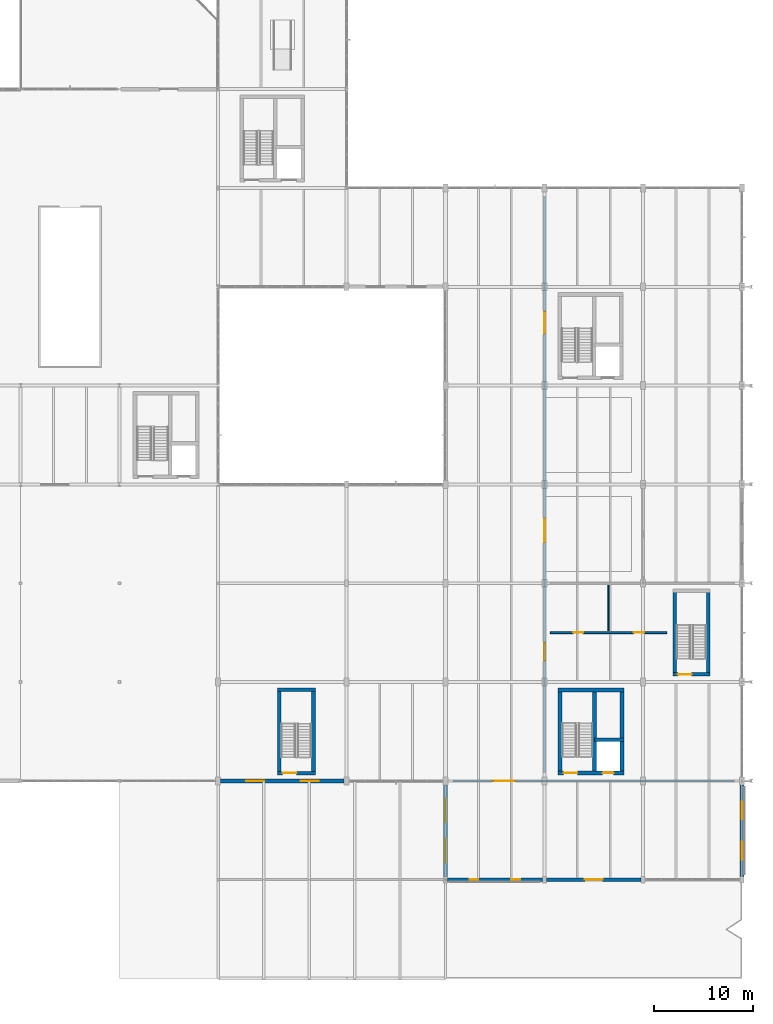
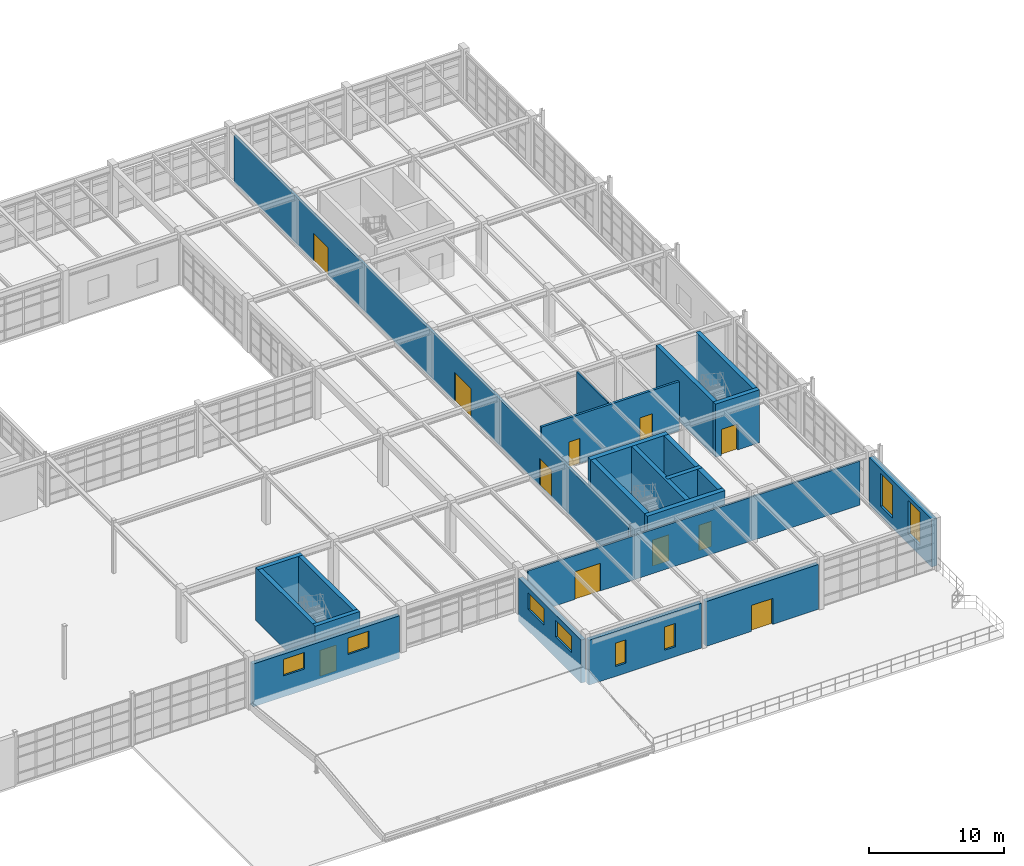
# One storey, part 121 of 139: 22 walls, 11 doors, 8 windows, 19 openings.
"""IFC4 building model written with IfcOpenShell, lengths in metres."""

from ifc_helpers import new_model, si_unit, direction, frame, frame_2d, origin, place, context, subcontext, project, spatial, rectangle, extrude, material, layer, layer_set, type_object, element, fill, save


model = new_model("IFC4")

# Units and contexts
model_context = context("Model", 3, precision=1e-05, world=origin(), true_north=direction((0.0, 1.0)))
body_context = subcontext(model_context, "Body", "Model", "MODEL_VIEW")
ifc_project = project(units=[si_unit("LENGTHUNIT", "METRE"), si_unit("AREAUNIT", "SQUARE_METRE"), si_unit("VOLUMEUNIT", "CUBIC_METRE"), si_unit("PLANEANGLEUNIT", "RADIAN"), si_unit("MASSUNIT", "GRAM", prefix="KILO"), si_unit("THERMODYNAMICTEMPERATUREUNIT", "KELVIN"), si_unit("POWERUNIT", "WATT")], contexts=[model_context])

# Site, building, storey
site_placement = place(None, origin())
site = spatial("IfcSite", under=ifc_project, at=site_placement, CompositionType="ELEMENT")
building_placement = place(site_placement, origin())
building = spatial("IfcBuilding", under=site, at=building_placement, Name="Korenveer Ferry Terminal", CompositionType="ELEMENT")
storey_placement = place(building_placement, frame((0.0, 0.0, 5.39990234375)))
storey = spatial("IfcBuildingStorey", under=building, at=storey_placement, Name="L01", CompositionType="ELEMENT", Elevation=5.39990234375)

# Wall, openings, windows
ifc_material_1 = material(Name="Insulated clinker brick masonry", Category="masonry")
ifc_layer_1 = layer(ifc_material_1, 0.3798828125)
ifc_layer_set_1 = layer_set([ifc_layer_1], Name="Insulated clinker brick masonry")
wall_type_1 = type_object("IfcWallType", Name="ENV-WL-BRK380", PredefinedType="SOLIDWALL", material=ifc_layer_set_1)
wall_1_placement = place(storey_placement, frame((146.199951171875, 10.0, 0.0), z_axis=(0.0, 0.0, 1.0), x_axis=(1.0, 0.0, 0.0)))
wall_1 = element("IfcWall", 1, at=wall_1_placement, inside=storey, type_object=wall_type_1, Name="Exterior facade wall EWL-L01-037", PredefinedType="SOLIDWALL", context=body_context, shape_type="SweptSolid", body=[
    extrude(rectangle(XDim=9.60009765625, YDim=0.3798828125, at=frame_2d((4.800048828125, 0.0))), origin(), (0.0, 0.0, 1.0), 4.050048828125),
])
opening_1_placement = place(wall_1_placement, frame((2.238037109375, 0.0, 0.89990234375)))
opening_1 = element("IfcOpeningElement", 2, at=opening_1_placement, cuts=wall_1, Name="Opening WN-03", PredefinedType="OPENING", context=body_context, shape_type="SweptSolid", body=[
    extrude(rectangle(XDim=0.89990234375, YDim=2.10009765625, at=frame_2d((0.449951171875, 1.050048828125))), frame((0.0, 0.199951171875, 0.0), z_axis=(0.0, -1.0, 0.0), x_axis=(1.0, 0.0, 0.0)), (0.0, 0.0, 1.0), 0.39990234375),
])
opening_2_placement = place(wall_1_placement, frame((6.4619140625, 0.0, 0.89990234375)))
opening_2 = element("IfcOpeningElement", 3, at=opening_2_placement, cuts=wall_1, Name="Opening WN-03", PredefinedType="OPENING", context=body_context, shape_type="SweptSolid", body=[
    extrude(rectangle(XDim=0.89990234375, YDim=2.10009765625, at=frame_2d((0.449951171875, 1.050048828125))), frame((0.0, 0.199951171875, 0.0), z_axis=(0.0, -1.0, 0.0), x_axis=(1.0, 0.0, 0.0)), (0.0, 0.0, 1.0), 0.39990234375),
])
ifc_material_2 = material(Name="Low-iron triple glazing in bronze frame", Category="glass")
window_type_1 = type_object("IfcWindowType", Name="ENV-WN-03", PartitioningType="SINGLE_PANEL", PredefinedType="WINDOW", material=ifc_material_2)
window_1_placement = place(opening_1_placement, origin())
window_1 = element("IfcWindow", 4, at=window_1_placement, inside=storey, type_object=window_type_1, Name="Lancet facade window 31", OverallHeight=2.10009765625, OverallWidth=0.89990234375, PartitioningType="SINGLE_PANEL", PredefinedType="WINDOW", context=body_context, shape_type="SweptSolid", body=[
    extrude(rectangle(XDim=0.89990234375, YDim=2.10009765625, at=frame_2d((0.449951171875, 1.050048828125))), frame((0.0, 0.030029296875, 0.0), z_axis=(0.0, -1.0, 0.0), x_axis=(1.0, 0.0, 0.0)), (0.0, 0.0, 1.0), 0.06005859375),
])
fill(opening_1, window_1)
window_2_placement = place(opening_2_placement, origin())
window_2 = element("IfcWindow", 5, at=window_2_placement, inside=storey, type_object=window_type_1, Name="Lancet facade window 32", OverallHeight=2.10009765625, OverallWidth=0.89990234375, PartitioningType="SINGLE_PANEL", PredefinedType="WINDOW", context=body_context, shape_type="SweptSolid", body=[
    extrude(rectangle(XDim=0.89990234375, YDim=2.10009765625, at=frame_2d((0.449951171875, 1.050048828125))), frame((0.0, 0.030029296875, 0.0), z_axis=(0.0, -1.0, 0.0), x_axis=(1.0, 0.0, 0.0)), (0.0, 0.0, 1.0), 0.06005859375),
])
fill(opening_2, window_2)

# Wall, opening, door
wall_2_placement = place(storey_placement, frame((156.199951171875, 10.0, 0.0), z_axis=(0.0, 0.0, 1.0), x_axis=(1.0, 0.0, 0.0)))
wall_2 = element("IfcWall", 6, at=wall_2_placement, inside=storey, type_object=wall_type_1, Name="Exterior facade wall EWL-L01-038", PredefinedType="SOLIDWALL", context=body_context, shape_type="SweptSolid", body=[
    extrude(rectangle(XDim=9.60009765625, YDim=0.3798828125, at=frame_2d((4.800048828125, 0.0))), origin(), (0.0, 0.0, 1.0), 4.050048828125),
])
opening_3_placement = place(wall_2_placement, frame((3.89990234375, 0.0, 0.0)))
opening_3 = element("IfcOpeningElement", 7, at=opening_3_placement, cuts=wall_2, Name="Opening TD-102", PredefinedType="OPENING", context=body_context, shape_type="SweptSolid", body=[
    extrude(rectangle(XDim=1.800048828125, YDim=2.35009765625, at=frame_2d((0.89990234375, 1.175048828125))), frame((0.0, 0.199951171875, 0.0), z_axis=(0.0, -1.0, 0.0), x_axis=(1.0, 0.0, 0.0)), (0.0, 0.0, 1.0), 0.39990234375),
])
ifc_material_3 = material(Name="Thermally broken bronze glazed door", Category="aluminium")
door_type_1 = type_object("IfcDoorType", Name="ENV-DR-TERR180", OperationType="DOUBLE_DOOR_SINGLE_SWING", PredefinedType="DOOR", material=ifc_material_3)
door_1_placement = place(opening_3_placement, origin())
door_1 = element("IfcDoor", 8, at=door_1_placement, inside=storey, type_object=door_type_1, Name="East Forecourt Terrace Door TD-102", OperationType="DOUBLE_DOOR_SINGLE_SWING", OverallHeight=2.35009765625, OverallWidth=1.800048828125, PredefinedType="DOOR", context=body_context, shape_type="SweptSolid", body=[
    extrude(rectangle(XDim=1.800048828125, YDim=2.35009765625, at=frame_2d((0.89990234375, 1.175048828125))), frame((0.0, 0.02490234375, 0.0), z_axis=(0.0, -1.0, 0.0), x_axis=(1.0, 0.0, 0.0)), (0.0, 0.0, 1.0), 0.050048828125),
])
fill(opening_3, door_1)

# Wall, openings, windows
wall_3_placement = place(storey_placement, frame((123.25, 20.0, 0.0), z_axis=(0.0, 0.0, 1.0), x_axis=(1.0, 0.0, 0.0)))
wall_3 = element("IfcWall", 9, at=wall_3_placement, inside=storey, type_object=wall_type_1, Name="Exterior facade wall EWL-L01-042", PredefinedType="SOLIDWALL", context=body_context, shape_type="SweptSolid", body=[
    extrude(rectangle(XDim=12.5, YDim=0.3798828125, at=frame_2d((6.25, 0.0))), origin(), (0.0, 0.0, 1.0), 3.8701171875),
])
opening_4_placement = place(wall_3_placement, frame((2.60009765625, 0.0, 1.89990234375)))
opening_4 = element("IfcOpeningElement", 10, at=opening_4_placement, cuts=wall_3, Name="Opening WN-17", PredefinedType="OPENING", context=body_context, shape_type="SweptSolid", body=[
    extrude(rectangle(XDim=1.800048828125, YDim=1.5, at=frame_2d((0.89990234375, 0.75))), frame((0.0, 0.199951171875, 0.0), z_axis=(0.0, -1.0, 0.0), x_axis=(1.0, 0.0, 0.0)), (0.0, 0.0, 1.0), 0.39990234375),
])
opening_5_placement = place(wall_3_placement, frame((8.10009765625, 0.0, 1.89990234375)))
opening_5 = element("IfcOpeningElement", 11, at=opening_5_placement, cuts=wall_3, Name="Opening WN-17", PredefinedType="OPENING", context=body_context, shape_type="SweptSolid", body=[
    extrude(rectangle(XDim=1.800048828125, YDim=1.5, at=frame_2d((0.89990234375, 0.75))), frame((0.0, 0.199951171875, 0.0), z_axis=(0.0, -1.0, 0.0), x_axis=(1.0, 0.0, 0.0)), (0.0, 0.0, 1.0), 0.39990234375),
])
window_type_2 = type_object("IfcWindowType", Name="ENV-WN-17", PartitioningType="SINGLE_PANEL", PredefinedType="WINDOW", material=ifc_material_2)
window_3_placement = place(opening_4_placement, origin())
window_3 = element("IfcWindow", 12, at=window_3_placement, inside=storey, type_object=window_type_2, Name="Lancet facade window 39", OverallHeight=1.5, OverallWidth=1.800048828125, PartitioningType="SINGLE_PANEL", PredefinedType="WINDOW", context=body_context, shape_type="SweptSolid", body=[
    extrude(rectangle(XDim=1.800048828125, YDim=1.5, at=frame_2d((0.89990234375, 0.75))), frame((0.0, 0.030029296875, 0.0), z_axis=(0.0, -1.0, 0.0), x_axis=(1.0, 0.0, 0.0)), (0.0, 0.0, 1.0), 0.06005859375),
])
fill(opening_4, window_3)
window_4_placement = place(opening_5_placement, origin())
window_4 = element("IfcWindow", 13, at=window_4_placement, inside=storey, type_object=window_type_2, Name="Lancet facade window 40", OverallHeight=1.5, OverallWidth=1.800048828125, PartitioningType="SINGLE_PANEL", PredefinedType="WINDOW", context=body_context, shape_type="SweptSolid", body=[
    extrude(rectangle(XDim=1.800048828125, YDim=1.5, at=frame_2d((0.89990234375, 0.75))), frame((0.0, 0.030029296875, 0.0), z_axis=(0.0, -1.0, 0.0), x_axis=(1.0, 0.0, 0.0)), (0.0, 0.0, 1.0), 0.06005859375),
])
fill(opening_5, window_4)

wall_4_placement = place(storey_placement, frame((146.0, 10.324951171875, 0.0), z_axis=(0.0, 0.0, 1.0), x_axis=(0.0, 1.0, 0.0)))
wall_4 = element("IfcWall", 14, at=wall_4_placement, inside=storey, type_object=wall_type_1, Name="Exterior facade wall EWL-L01-051", PredefinedType="SOLIDWALL", context=body_context, shape_type="SweptSolid", body=[
    extrude(rectangle(XDim=9.275146484375, YDim=0.3798828125, at=frame_2d((4.6376953125, 0.0))), origin(), (0.0, 0.0, 1.0), 3.900146484375),
])
opening_6_placement = place(wall_4_placement, frame((1.39697265625, 0.0, 1.89990234375)))
opening_6 = element("IfcOpeningElement", 15, at=opening_6_placement, cuts=wall_4, Name="Opening WN-29", PredefinedType="OPENING", context=body_context, shape_type="SweptSolid", body=[
    extrude(rectangle(XDim=2.39990234375, YDim=1.5, at=frame_2d((1.199951171875, 0.75))), frame((0.0, 0.199951171875, 0.0), z_axis=(0.0, -1.0, 0.0), x_axis=(1.0, 0.0, 0.0)), (0.0, 0.0, 1.0), 0.39990234375),
])
opening_7_placement = place(wall_4_placement, frame((5.47802734375, 0.0, 1.89990234375)))
opening_7 = element("IfcOpeningElement", 16, at=opening_7_placement, cuts=wall_4, Name="Opening WN-29", PredefinedType="OPENING", context=body_context, shape_type="SweptSolid", body=[
    extrude(rectangle(XDim=2.39990234375, YDim=1.5, at=frame_2d((1.199951171875, 0.75))), frame((0.0, 0.199951171875, 0.0), z_axis=(0.0, -1.0, 0.0), x_axis=(1.0, 0.0, 0.0)), (0.0, 0.0, 1.0), 0.39990234375),
])
window_type_3 = type_object("IfcWindowType", Name="ENV-WN-29", PartitioningType="SINGLE_PANEL", PredefinedType="WINDOW", material=ifc_material_2)
window_5_placement = place(opening_6_placement, origin())
window_5 = element("IfcWindow", 17, at=window_5_placement, inside=storey, type_object=window_type_3, Name="Lancet facade window 53", OverallHeight=1.5, OverallWidth=2.39990234375, PartitioningType="SINGLE_PANEL", PredefinedType="WINDOW", context=body_context, shape_type="SweptSolid", body=[
    extrude(rectangle(XDim=2.39990234375, YDim=1.5, at=frame_2d((1.199951171875, 0.75))), frame((0.0, 0.030029296875, 0.0), z_axis=(0.0, -1.0, 0.0), x_axis=(1.0, 0.0, 0.0)), (0.0, 0.0, 1.0), 0.06005859375),
])
fill(opening_6, window_5)
window_6_placement = place(opening_7_placement, origin())
window_6 = element("IfcWindow", 18, at=window_6_placement, inside=storey, type_object=window_type_3, Name="Lancet facade window 54", OverallHeight=1.5, OverallWidth=2.39990234375, PartitioningType="SINGLE_PANEL", PredefinedType="WINDOW", context=body_context, shape_type="SweptSolid", body=[
    extrude(rectangle(XDim=2.39990234375, YDim=1.5, at=frame_2d((1.199951171875, 0.75))), frame((0.0, 0.030029296875, 0.0), z_axis=(0.0, -1.0, 0.0), x_axis=(1.0, 0.0, 0.0)), (0.0, 0.0, 1.0), 0.06005859375),
])
fill(opening_7, window_6)

ifc_layer_2 = layer(ifc_material_1, 0.43994140625)
ifc_layer_set_2 = layer_set([ifc_layer_2], Name="Insulated clinker brick masonry")
wall_type_2 = type_object("IfcWallType", Name="ENV-WL-BRK440", PredefinedType="SOLIDWALL", material=ifc_layer_set_2)
wall_5_placement = place(storey_placement, frame((176.0, 19.60009765625, 0.0), z_axis=(0.0, 0.0, 1.0), x_axis=(0.0, -1.0, 0.0)))
wall_5 = element("IfcWall", 19, at=wall_5_placement, inside=storey, type_object=wall_type_2, Name="Exterior facade wall EWL-L01-052", PredefinedType="SOLIDWALL", context=body_context, shape_type="SweptSolid", body=[
    extrude(rectangle(XDim=9.275146484375, YDim=0.43994140625, at=frame_2d((4.6376953125, 0.0))), origin(), (0.0, 0.0, 1.0), 4.300048828125),
])
opening_8_placement = place(wall_5_placement, frame((1.697021484375, 0.0, 0.89990234375)))
opening_8 = element("IfcOpeningElement", 20, at=opening_8_placement, cuts=wall_5, Name="Opening WN-22", PredefinedType="OPENING", context=body_context, shape_type="SweptSolid", body=[
    extrude(rectangle(XDim=1.800048828125, YDim=3.0, at=frame_2d((0.89990234375, 1.5))), frame((0.0, 0.22998046875, 0.0), z_axis=(0.0, -1.0, 0.0), x_axis=(1.0, 0.0, 0.0)), (0.0, 0.0, 1.0), 0.4599609375),
])
opening_9_placement = place(wall_5_placement, frame((5.778076171875, 0.0, 0.89990234375)))
opening_9 = element("IfcOpeningElement", 21, at=opening_9_placement, cuts=wall_5, Name="Opening WN-22", PredefinedType="OPENING", context=body_context, shape_type="SweptSolid", body=[
    extrude(rectangle(XDim=1.800048828125, YDim=3.0, at=frame_2d((0.89990234375, 1.5))), frame((0.0, 0.22998046875, 0.0), z_axis=(0.0, -1.0, 0.0), x_axis=(1.0, 0.0, 0.0)), (0.0, 0.0, 1.0), 0.4599609375),
])
window_type_4 = type_object("IfcWindowType", Name="ENV-WN-22", PartitioningType="SINGLE_PANEL", PredefinedType="WINDOW", material=ifc_material_2)
window_7_placement = place(opening_8_placement, origin())
window_7 = element("IfcWindow", 22, at=window_7_placement, inside=storey, type_object=window_type_4, Name="Lancet facade window 55", OverallHeight=3.0, OverallWidth=1.800048828125, PartitioningType="SINGLE_PANEL", PredefinedType="WINDOW", context=body_context, shape_type="SweptSolid", body=[
    extrude(rectangle(XDim=1.800048828125, YDim=3.0, at=frame_2d((0.89990234375, 1.5))), frame((0.0, 0.030029296875, 0.0), z_axis=(0.0, -1.0, 0.0), x_axis=(1.0, 0.0, 0.0)), (0.0, 0.0, 1.0), 0.06005859375),
])
fill(opening_8, window_7)
window_8_placement = place(opening_9_placement, origin())
window_8 = element("IfcWindow", 23, at=window_8_placement, inside=storey, type_object=window_type_4, Name="Lancet facade window 56", OverallHeight=3.0, OverallWidth=1.800048828125, PartitioningType="SINGLE_PANEL", PredefinedType="WINDOW", context=body_context, shape_type="SweptSolid", body=[
    extrude(rectangle(XDim=1.800048828125, YDim=3.0, at=frame_2d((0.89990234375, 1.5))), frame((0.0, 0.030029296875, 0.0), z_axis=(0.0, -1.0, 0.0), x_axis=(1.0, 0.0, 0.0)), (0.0, 0.0, 1.0), 0.06005859375),
])
fill(opening_9, window_8)

# Wall, openings, doors
ifc_material_4 = material(Name="Acoustic fire-rated twin-stud partition", Category="other")
ifc_layer_3 = layer(ifc_material_4, 0.199951171875)
ifc_layer_set_3 = layer_set([ifc_layer_3], Name="Acoustic fire-rated twin-stud partition")
wall_type_3 = type_object("IfcWallType", Name="INT-WL-COMP200", PredefinedType="PARTITIONING", material=ifc_layer_set_3)
wall_6_placement = place(storey_placement, frame((156.0, 20.800048828125, 0.0), z_axis=(0.0, 0.0, 1.0), x_axis=(0.0, 1.0, 0.0)))
wall_6 = element("IfcWall", 24, at=wall_6_placement, inside=storey, type_object=wall_type_3, Name="Interior partition PWL-L01-030", PredefinedType="PARTITIONING", context=body_context, shape_type="SweptSolid", body=[
    extrude(rectangle(XDim=58.39990234375, YDim=0.199951171875, at=frame_2d((29.199951171875, 0.0))), origin(), (0.0, 0.0, 1.0), 4.22998046875),
])
opening_10_placement = place(wall_6_placement, frame((11.364013671875, 0.0, 0.0)))
opening_10 = element("IfcOpeningElement", 25, at=opening_10_placement, cuts=wall_6, Name="Opening ID-038", PredefinedType="OPENING", context=body_context, shape_type="SweptSolid", body=[
    extrude(rectangle(XDim=1.800048828125, YDim=2.449951171875, at=frame_2d((0.89990234375, 1.22509765625))), frame((0.0, 0.10986328125, 0.0), z_axis=(0.0, -1.0, 0.0), x_axis=(1.0, 0.0, 0.0)), (0.0, 0.0, 1.0), 0.219970703125),
])
opening_11_placement = place(wall_6_placement, frame((23.327880859375, 0.0, 0.0)))
opening_11 = element("IfcOpeningElement", 26, at=opening_11_placement, cuts=wall_6, Name="Opening ID-039", PredefinedType="OPENING", context=body_context, shape_type="SweptSolid", body=[
    extrude(rectangle(XDim=2.39990234375, YDim=2.60009765625, at=frame_2d((1.199951171875, 1.300048828125))), frame((0.0, 0.10986328125, 0.0), z_axis=(0.0, -1.0, 0.0), x_axis=(1.0, 0.0, 0.0)), (0.0, 0.0, 1.0), 0.219970703125),
])
opening_12_placement = place(wall_6_placement, frame((44.451904296875, 0.0, 0.0)))
opening_12 = element("IfcOpeningElement", 27, at=opening_12_placement, cuts=wall_6, Name="Opening ID-040", PredefinedType="OPENING", context=body_context, shape_type="SweptSolid", body=[
    extrude(rectangle(XDim=2.199951171875, YDim=2.5, at=frame_2d((1.10009765625, 1.25))), frame((0.0, 0.10986328125, 0.0), z_axis=(0.0, -1.0, 0.0), x_axis=(1.0, 0.0, 0.0)), (0.0, 0.0, 1.0), 0.219970703125),
])
ifc_material_5 = material(Name="Solid hardwood and steel acoustic door", Category="steel")
door_type_2 = type_object("IfcDoorType", Name="INT-DR-CON220", OperationType="DOUBLE_DOOR_SINGLE_SWING", PredefinedType="DOOR", material=ifc_material_5)
door_2_placement = place(opening_12_placement, origin())
door_2 = element("IfcDoor", 28, at=door_2_placement, inside=storey, type_object=door_type_2, Name="Schengen Departure Lounge Entrance", OperationType="DOUBLE_DOOR_SINGLE_SWING", OverallHeight=2.5, OverallWidth=2.199951171875, PredefinedType="DOOR", context=body_context, shape_type="SweptSolid", body=[
    extrude(rectangle(XDim=2.199951171875, YDim=2.5, at=frame_2d((1.10009765625, 1.25))), frame((0.0, 0.02490234375, 0.0), z_axis=(0.0, -1.0, 0.0), x_axis=(1.0, 0.0, 0.0)), (0.0, 0.0, 1.0), 0.050048828125),
])
fill(opening_12, door_2)
door_type_3 = type_object("IfcDoorType", Name="INT-DR-CON240", OperationType="DOUBLE_DOOR_SINGLE_SWING", PredefinedType="DOOR", material=ifc_material_5)
door_3_placement = place(opening_11_placement, origin())
door_3 = element("IfcDoor", 29, at=door_3_placement, inside=storey, type_object=door_type_3, Name="Duty Free Retail Arcade Entrance", OperationType="DOUBLE_DOOR_SINGLE_SWING", OverallHeight=2.60009765625, OverallWidth=2.39990234375, PredefinedType="DOOR", context=body_context, shape_type="SweptSolid", body=[
    extrude(rectangle(XDim=2.39990234375, YDim=2.60009765625, at=frame_2d((1.199951171875, 1.300048828125))), frame((0.0, 0.02490234375, 0.0), z_axis=(0.0, -1.0, 0.0), x_axis=(1.0, 0.0, 0.0)), (0.0, 0.0, 1.0), 0.050048828125),
])
fill(opening_11, door_3)
door_type_4 = type_object("IfcDoorType", Name="INT-DR-FFL180", OperationType="DOUBLE_DOOR_SINGLE_SWING", PredefinedType="DOOR", material=ifc_material_5)
door_4_placement = place(opening_10_placement, origin())
door_4 = element("IfcDoor", 30, at=door_4_placement, inside=storey, type_object=door_type_4, Name="L01 East Firefighting Lobby Door", OperationType="DOUBLE_DOOR_SINGLE_SWING", OverallHeight=2.449951171875, OverallWidth=1.800048828125, PredefinedType="DOOR", context=body_context, shape_type="SweptSolid", body=[
    extrude(rectangle(XDim=1.800048828125, YDim=2.449951171875, at=frame_2d((0.89990234375, 1.22509765625))), frame((0.0, 0.02490234375, 0.0), z_axis=(0.0, -1.0, 0.0), x_axis=(1.0, 0.0, 0.0)), (0.0, 0.0, 1.0), 0.050048828125),
])
fill(opening_10, door_4)

wall_7_placement = place(storey_placement, frame((156.60009765625, 35.0, 0.0), z_axis=(0.0, 0.0, 1.0), x_axis=(1.0, 0.0, 0.0)))
wall_7 = element("IfcWall", 31, at=wall_7_placement, inside=storey, type_object=wall_type_3, Name="Interior partition PWL-L01-032", PredefinedType="PARTITIONING", context=body_context, shape_type="SweptSolid", body=[
    extrude(rectangle(XDim=11.7998046875, YDim=0.199951171875, at=frame_2d((5.89990234375, 0.0))), origin(), (0.0, 0.0, 1.0), 4.460205078125),
])
opening_13_placement = place(wall_7_placement, frame((2.342041015625, 0.0, 0.0)))
opening_13 = element("IfcOpeningElement", 32, at=opening_13_placement, cuts=wall_7, Name="Opening ID-042", PredefinedType="OPENING", context=body_context, shape_type="SweptSolid", body=[
    extrude(rectangle(XDim=0.97998046875, YDim=2.300048828125, at=frame_2d((0.489990234375, 1.14990234375))), frame((0.0, 0.10986328125, 0.0), z_axis=(0.0, -1.0, 0.0), x_axis=(1.0, 0.0, 0.0)), (0.0, 0.0, 1.0), 0.219970703125),
])
opening_14_placement = place(wall_7_placement, frame((8.427978515625, 0.0, 0.0)))
opening_14 = element("IfcOpeningElement", 33, at=opening_14_placement, cuts=wall_7, Name="Opening ID-043", PredefinedType="OPENING", context=body_context, shape_type="SweptSolid", body=[
    extrude(rectangle(XDim=1.080078125, YDim=2.35009765625, at=frame_2d((0.5400390625, 1.175048828125))), frame((0.0, 0.10986328125, 0.0), z_axis=(0.0, -1.0, 0.0), x_axis=(1.0, 0.0, 0.0)), (0.0, 0.0, 1.0), 0.219970703125),
])
door_type_5 = type_object("IfcDoorType", Name="INT-DR-AWC108", OperationType="NOTDEFINED", PredefinedType="DOOR", material=ifc_material_5)
door_5_placement = place(opening_14_placement, origin())
door_5 = element("IfcDoor", 34, at=door_5_placement, inside=storey, type_object=door_type_5, Name="L01 East Accessible WC Door", OperationType="SINGLE_SWING_LEFT", OverallHeight=2.35009765625, OverallWidth=1.080078125, PredefinedType="DOOR", context=body_context, shape_type="SweptSolid", body=[
    extrude(rectangle(XDim=1.080078125, YDim=2.35009765625, at=frame_2d((0.5400390625, 1.175048828125))), frame((0.0, 0.02490234375, 0.0), z_axis=(0.0, -1.0, 0.0), x_axis=(1.0, 0.0, 0.0)), (0.0, 0.0, 1.0), 0.050048828125),
])
fill(opening_14, door_5)
door_type_6 = type_object("IfcDoorType", Name="INT-DR-WC098", OperationType="NOTDEFINED", PredefinedType="DOOR", material=ifc_material_5)
door_6_placement = place(opening_13_placement, origin())
door_6 = element("IfcDoor", 35, at=door_6_placement, inside=storey, type_object=door_type_6, Name="L01 East Public WC Door", OperationType="SINGLE_SWING_RIGHT", OverallHeight=2.300048828125, OverallWidth=0.97998046875, PredefinedType="DOOR", context=body_context, shape_type="SweptSolid", body=[
    extrude(rectangle(XDim=0.97998046875, YDim=2.300048828125, at=frame_2d((0.489990234375, 1.14990234375))), frame((0.0, 0.02490234375, 0.0), z_axis=(0.0, -1.0, 0.0), x_axis=(1.0, 0.0, 0.0)), (0.0, 0.0, 1.0), 0.050048828125),
])
fill(opening_13, door_6)

# Walls
ifc_material_6 = material(Name="Concrete C45/55", Category="concrete")
ifc_layer_4 = layer(ifc_material_6, 0.360107421875)
ifc_layer_set_4 = layer_set([ifc_layer_4], Name="Concrete C45/55")
wall_type_4 = type_object("IfcWallType", Name="INT-WL-CORE360", PredefinedType="SHEAR", material=ifc_layer_set_4)
wall_8_placement = place(storey_placement, frame((161.080078125, 20.60009765625, 0.0), z_axis=(0.0, 0.0, 1.0), x_axis=(0.0, 1.0, 0.0)))
element("IfcWall", 36, at=wall_8_placement, inside=storey, type_object=wall_type_4, Name="East Firefighting Core K3 shaft divider wall L01", PredefinedType="SHEAR", context=body_context, shape_type="SweptSolid", body=[
    extrude(rectangle(XDim=8.7998046875, YDim=0.360107421875, at=frame_2d((4.39990234375, 0.0))), origin(), (0.0, 0.0, 1.0), 4.800048828125),
])
wall_9_placement = place(storey_placement, frame((161.080078125, 24.179931640625, 0.0), z_axis=(0.0, 0.0, 1.0), x_axis=(1.0, 0.0, 0.0)))
element("IfcWall", 37, at=wall_9_placement, inside=storey, type_object=wall_type_4, Name="East Firefighting Core K3 lift shaft wall L01", PredefinedType="SHEAR", context=body_context, shape_type="SweptSolid", body=[
    extrude(rectangle(XDim=2.97998046875, YDim=0.360107421875, at=frame_2d((1.489990234375, 0.0))), origin(), (0.0, 0.0, 1.0), 4.800048828125),
])

# Wall, opening, door
wall_10_placement = place(storey_placement, frame((129.0, 20.780029296875, 0.0), z_axis=(0.0, 0.0, 1.0), x_axis=(1.0, 0.0, 0.0)))
wall_10 = element("IfcWall", 38, at=wall_10_placement, inside=storey, type_object=wall_type_4, Name="Arrivals East Stair Core K10 south shear wall L01", PredefinedType="SHEAR", context=body_context, shape_type="SweptSolid", body=[
    extrude(rectangle(XDim=3.820068359375, YDim=0.360107421875, at=frame_2d((1.91015625, 0.0))), origin(), (0.0, 0.0, 1.0), 4.800048828125),
])
opening_15_placement = place(wall_10_placement, frame((0.510009765625, 0.0, 0.0)))
opening_15 = element("IfcOpeningElement", 39, at=opening_15_placement, cuts=wall_10, Name="Opening SD-33", PredefinedType="OPENING", context=body_context, shape_type="SweptSolid", body=[
    extrude(rectangle(XDim=1.39990234375, YDim=2.35009765625, at=frame_2d((0.699951171875, 1.175048828125))), frame((0.0, 0.18994140625, 0.0), z_axis=(0.0, -1.0, 0.0), x_axis=(1.0, 0.0, 0.0)), (0.0, 0.0, 1.0), 0.380126953125),
])
door_type_7 = type_object("IfcDoorType", Name="INT-DR-ST140", OperationType="NOTDEFINED", PredefinedType="DOOR", material=ifc_material_5)
door_7_placement = place(opening_15_placement, origin())
door_7 = element("IfcDoor", 40, at=door_7_placement, inside=storey, type_object=door_type_7, Name="ST10 Stair Door L01", OperationType="SINGLE_SWING_LEFT", OverallHeight=2.35009765625, OverallWidth=1.39990234375, PredefinedType="DOOR", context=body_context, shape_type="SweptSolid", body=[
    extrude(rectangle(XDim=1.39990234375, YDim=2.35009765625, at=frame_2d((0.699951171875, 1.175048828125))), frame((0.0, 0.02490234375, 0.0), z_axis=(0.0, -1.0, 0.0), x_axis=(1.0, 0.0, 0.0)), (0.0, 0.0, 1.0), 0.050048828125),
])
fill(opening_15, door_7)

# Walls
wall_11_placement = place(storey_placement, frame((129.0, 29.219970703125, 0.0), z_axis=(0.0, 0.0, 1.0), x_axis=(1.0, 0.0, 0.0)))
element("IfcWall", 41, at=wall_11_placement, inside=storey, type_object=wall_type_4, Name="Arrivals East Stair Core K10 north shear wall L01", PredefinedType="SHEAR", context=body_context, shape_type="SweptSolid", body=[
    extrude(rectangle(XDim=3.820068359375, YDim=0.360107421875, at=frame_2d((1.91015625, 0.0))), origin(), (0.0, 0.0, 1.0), 4.800048828125),
])
for number, where, z_axis, x_axis, name in (
    (42, (129.179931640625, 20.60009765625, 0.0), (0.0, 0.0, 1.0), (0.0, 1.0, 0.0), "Arrivals East Stair Core K10 west shear wall L01"),
    (43, (132.639892578125, 20.60009765625, 0.0), (0.0, 0.0, 1.0), (0.0, 1.0, 0.0), "Arrivals East Stair Core K10 east shear wall L01"),
):
    element("IfcWall", number, at=place(storey_placement, frame(where, z_axis=z_axis, x_axis=x_axis)), inside=storey, type_object=wall_type_4, Name=name, PredefinedType="SHEAR", context=body_context, shape_type="SweptSolid", body=[
        extrude(rectangle(XDim=8.7998046875, YDim=0.360107421875, at=frame_2d((4.39990234375, 0.0))), origin(), (0.0, 0.0, 1.0), 4.800048828125),
    ])

# Wall, opening, door
wall_12_placement = place(storey_placement, frame((169.0, 30.780029296875, 0.0), z_axis=(0.0, 0.0, 1.0), x_axis=(1.0, 0.0, 0.0)))
wall_12 = element("IfcWall", 44, at=wall_12_placement, inside=storey, type_object=wall_type_4, Name="Schengen South Stair Core K12 south shear wall L01", PredefinedType="SHEAR", context=body_context, shape_type="SweptSolid", body=[
    extrude(rectangle(XDim=3.760009765625, YDim=0.360107421875, at=frame_2d((1.8798828125, 0.0))), origin(), (0.0, 0.0, 1.0), 4.800048828125),
])
opening_16_placement = place(wall_12_placement, frame((0.510009765625, 0.0, 0.0)))
opening_16 = element("IfcOpeningElement", 45, at=opening_16_placement, cuts=wall_12, Name="Opening SD-40", PredefinedType="OPENING", context=body_context, shape_type="SweptSolid", body=[
    extrude(rectangle(XDim=1.39990234375, YDim=2.35009765625, at=frame_2d((0.699951171875, 1.175048828125))), frame((0.0, 0.18994140625, 0.0), z_axis=(0.0, -1.0, 0.0), x_axis=(1.0, 0.0, 0.0)), (0.0, 0.0, 1.0), 0.380126953125),
])
door_8_placement = place(opening_16_placement, origin())
door_8 = element("IfcDoor", 46, at=door_8_placement, inside=storey, type_object=door_type_7, Name="ST12 Stair Door L01", OperationType="SINGLE_SWING_RIGHT", OverallHeight=2.35009765625, OverallWidth=1.39990234375, PredefinedType="DOOR", context=body_context, shape_type="SweptSolid", body=[
    extrude(rectangle(XDim=1.39990234375, YDim=2.35009765625, at=frame_2d((0.699951171875, 1.175048828125))), frame((0.0, 0.02490234375, 0.0), z_axis=(0.0, -1.0, 0.0), x_axis=(1.0, 0.0, 0.0)), (0.0, 0.0, 1.0), 0.050048828125),
])
fill(opening_16, door_8)

# Walls
for number, where, z_axis, x_axis, name in (
    (47, (169.179931640625, 30.60009765625, 0.0), (0.0, 0.0, 1.0), (0.0, 1.0, 0.0), "Schengen South Stair Core K12 west shear wall L01"),
    (48, (172.580078125, 30.60009765625, 0.0), (0.0, 0.0, 1.0), (0.0, 1.0, 0.0), "Schengen South Stair Core K12 east shear wall L01"),
):
    element("IfcWall", number, at=place(storey_placement, frame(where, z_axis=z_axis, x_axis=x_axis)), inside=storey, type_object=wall_type_4, Name=name, PredefinedType="SHEAR", context=body_context, shape_type="SweptSolid", body=[
        extrude(rectangle(XDim=8.7998046875, YDim=0.360107421875, at=frame_2d((4.39990234375, 0.0))), origin(), (0.0, 0.0, 1.0), 4.800048828125),
    ])

# Wall, openings, doors
ifc_layer_5 = layer(ifc_material_6, 0.39990234375)
ifc_layer_set_5 = layer_set([ifc_layer_5], Name="Concrete C45/55")
wall_type_5 = type_object("IfcWallType", Name="INT-WL-CORE400", PredefinedType="SHEAR", material=ifc_layer_set_5)
wall_13_placement = place(storey_placement, frame((157.39990234375, 20.800048828125, 0.0), z_axis=(0.0, 0.0, 1.0), x_axis=(1.0, 0.0, 0.0)))
wall_13 = element("IfcWall", 49, at=wall_13_placement, inside=storey, type_object=wall_type_5, Name="East Firefighting Core K3 south shear wall L01", PredefinedType="SHEAR", context=body_context, shape_type="SweptSolid", body=[
    extrude(rectangle(XDim=6.66015625, YDim=0.39990234375, at=frame_2d((3.330078125, 0.0))), origin(), (0.0, 0.0, 1.0), 4.800048828125),
])
opening_17_placement = place(wall_13_placement, frame((0.550048828125, 0.0, 0.0)))
opening_17 = element("IfcOpeningElement", 50, at=opening_17_placement, cuts=wall_13, Name="Opening SD-12", PredefinedType="OPENING", context=body_context, shape_type="SweptSolid", body=[
    extrude(rectangle(XDim=1.39990234375, YDim=2.35009765625, at=frame_2d((0.699951171875, 1.175048828125))), frame((0.0, 0.2099609375, 0.0), z_axis=(0.0, -1.0, 0.0), x_axis=(1.0, 0.0, 0.0)), (0.0, 0.0, 1.0), 0.419921875),
])
opening_18_placement = place(wall_13_placement, frame((4.510009765625, 0.0, 0.0)))
opening_18 = element("IfcOpeningElement", 51, at=opening_18_placement, cuts=wall_13, Name="Opening LD-12", PredefinedType="OPENING", context=body_context, shape_type="SweptSolid", body=[
    extrude(rectangle(XDim=1.10009765625, YDim=2.300048828125, at=frame_2d((0.550048828125, 1.14990234375))), frame((0.0, 0.2099609375, 0.0), z_axis=(0.0, -1.0, 0.0), x_axis=(1.0, 0.0, 0.0)), (0.0, 0.0, 1.0), 0.419921875),
])
door_type_8 = type_object("IfcDoorType", Name="INT-DR-LD110", OperationType="SLIDING_TO_LEFT", PredefinedType="DOOR", material=ifc_material_5)
door_9_placement = place(opening_18_placement, origin())
door_9 = element("IfcDoor", 52, at=door_9_placement, inside=storey, type_object=door_type_8, Name="Lift FL2 Sliding Landing Door L01", OperationType="SLIDING_TO_LEFT", OverallHeight=2.300048828125, OverallWidth=1.10009765625, PredefinedType="DOOR", context=body_context, shape_type="SweptSolid", body=[
    extrude(rectangle(XDim=1.10009765625, YDim=2.300048828125, at=frame_2d((0.550048828125, 1.14990234375))), frame((0.0, 0.02490234375, 0.0), z_axis=(0.0, -1.0, 0.0), x_axis=(1.0, 0.0, 0.0)), (0.0, 0.0, 1.0), 0.050048828125),
])
fill(opening_18, door_9)
door_10_placement = place(opening_17_placement, origin())
door_10 = element("IfcDoor", 53, at=door_10_placement, inside=storey, type_object=door_type_7, Name="ST03 Stair Door L01", OperationType="SINGLE_SWING_RIGHT", OverallHeight=2.35009765625, OverallWidth=1.39990234375, PredefinedType="DOOR", context=body_context, shape_type="SweptSolid", body=[
    extrude(rectangle(XDim=1.39990234375, YDim=2.35009765625, at=frame_2d((0.699951171875, 1.175048828125))), frame((0.0, 0.02490234375, 0.0), z_axis=(0.0, -1.0, 0.0), x_axis=(1.0, 0.0, 0.0)), (0.0, 0.0, 1.0), 0.050048828125),
])
fill(opening_17, door_10)

# Walls
wall_14_placement = place(storey_placement, frame((157.39990234375, 29.199951171875, 0.0), z_axis=(0.0, 0.0, 1.0), x_axis=(1.0, 0.0, 0.0)))
element("IfcWall", 54, at=wall_14_placement, inside=storey, type_object=wall_type_5, Name="East Firefighting Core K3 north shear wall L01", PredefinedType="SHEAR", context=body_context, shape_type="SweptSolid", body=[
    extrude(rectangle(XDim=6.66015625, YDim=0.39990234375, at=frame_2d((3.330078125, 0.0))), origin(), (0.0, 0.0, 1.0), 4.800048828125),
])
for number, where, z_axis, x_axis, name in (
    (55, (157.60009765625, 20.60009765625, 0.0), (0.0, 0.0, 1.0), (0.0, 1.0, 0.0), "East Firefighting Core K3 west shear wall L01"),
    (56, (163.860107421875, 20.60009765625, 0.0), (0.0, 0.0, 1.0), (0.0, 1.0, 0.0), "East Firefighting Core K3 east shear wall L01"),
):
    element("IfcWall", number, at=place(storey_placement, frame(where, z_axis=z_axis, x_axis=x_axis)), inside=storey, type_object=wall_type_5, Name=name, PredefinedType="SHEAR", context=body_context, shape_type="SweptSolid", body=[
        extrude(rectangle(XDim=8.7998046875, YDim=0.39990234375, at=frame_2d((4.39990234375, 0.0))), origin(), (0.0, 0.0, 1.0), 4.800048828125),
    ])
ifc_material_7 = material(Name="Lightweight wet-room stud partition", Category="other")
ifc_layer_6 = layer(ifc_material_7, 0.1201171875)
ifc_layer_set_6 = layer_set([ifc_layer_6], Name="Lightweight wet-room stud partition")
wall_type_6 = type_object("IfcWallType", Name="INT-WL-PART120", PredefinedType="PARTITIONING", material=ifc_layer_set_6)
wall_15_placement = place(storey_placement, frame((162.5, 35.199951171875, 0.0), z_axis=(0.0, 0.0, 1.0), x_axis=(0.0, 1.0, 0.0)))
element("IfcWall", 57, at=wall_15_placement, inside=storey, type_object=wall_type_6, Name="Interior partition PWL-L01-033", PredefinedType="PARTITIONING", context=body_context, shape_type="SweptSolid", body=[
    extrude(rectangle(XDim=4.60009765625, YDim=0.1201171875, at=frame_2d((2.300048828125, 0.0))), origin(), (0.0, 0.0, 1.0), 4.460205078125),
])

# Wall, opening, door
ifc_material_8 = material(Name="Acoustic gypsum board stud partition", Category="other")
ifc_layer_7 = layer(ifc_material_8, 0.14990234375)
ifc_layer_set_7 = layer_set([ifc_layer_7], Name="Acoustic gypsum board stud partition")
wall_type_7 = type_object("IfcWallType", Name="INT-WL-PART150", PredefinedType="PARTITIONING", material=ifc_layer_set_7)
wall_16_placement = place(storey_placement, frame((146.800048828125, 20.0, 0.0), z_axis=(0.0, 0.0, 1.0), x_axis=(1.0, 0.0, 0.0)))
wall_16 = element("IfcWall", 58, at=wall_16_placement, inside=storey, type_object=wall_type_7, Name="Interior partition PWL-L01-031", PredefinedType="PARTITIONING", context=body_context, shape_type="SweptSolid", body=[
    extrude(rectangle(XDim=28.39990234375, YDim=0.14990234375, at=frame_2d((14.199951171875, 0.0))), origin(), (0.0, 0.0, 1.0), 3.97021484375),
])
opening_19_placement = place(wall_16_placement, frame((4.011962890625, 0.0, 0.0)))
opening_19 = element("IfcOpeningElement", 59, at=opening_19_placement, cuts=wall_16, Name="Opening ID-041", PredefinedType="OPENING", context=body_context, shape_type="SweptSolid", body=[
    extrude(rectangle(XDim=2.199951171875, YDim=2.5, at=frame_2d((1.10009765625, 1.25))), frame((0.0, 0.0849609375, 0.0), z_axis=(0.0, -1.0, 0.0), x_axis=(1.0, 0.0, 0.0)), (0.0, 0.0, 1.0), 0.169921875),
])
door_type_9 = type_object("IfcDoorType", Name="INT-DR-CON220U", OperationType="DOUBLE_DOOR_SINGLE_SWING", PredefinedType="DOOR", material=ifc_material_5)
door_11_placement = place(opening_19_placement, origin())
door_11 = element("IfcDoor", 60, at=door_11_placement, inside=storey, type_object=door_type_9, Name="Harbour Cafe Entrance", OperationType="DOUBLE_DOOR_SINGLE_SWING", OverallHeight=2.5, OverallWidth=2.199951171875, PredefinedType="DOOR", context=body_context, shape_type="SweptSolid", body=[
    extrude(rectangle(XDim=2.199951171875, YDim=2.5, at=frame_2d((1.10009765625, 1.25))), frame((0.0, 0.02490234375, 0.0), z_axis=(0.0, -1.0, 0.0), x_axis=(1.0, 0.0, 0.0)), (0.0, 0.0, 1.0), 0.050048828125),
])
fill(opening_19, door_11)

save(model, "model.ifc")
